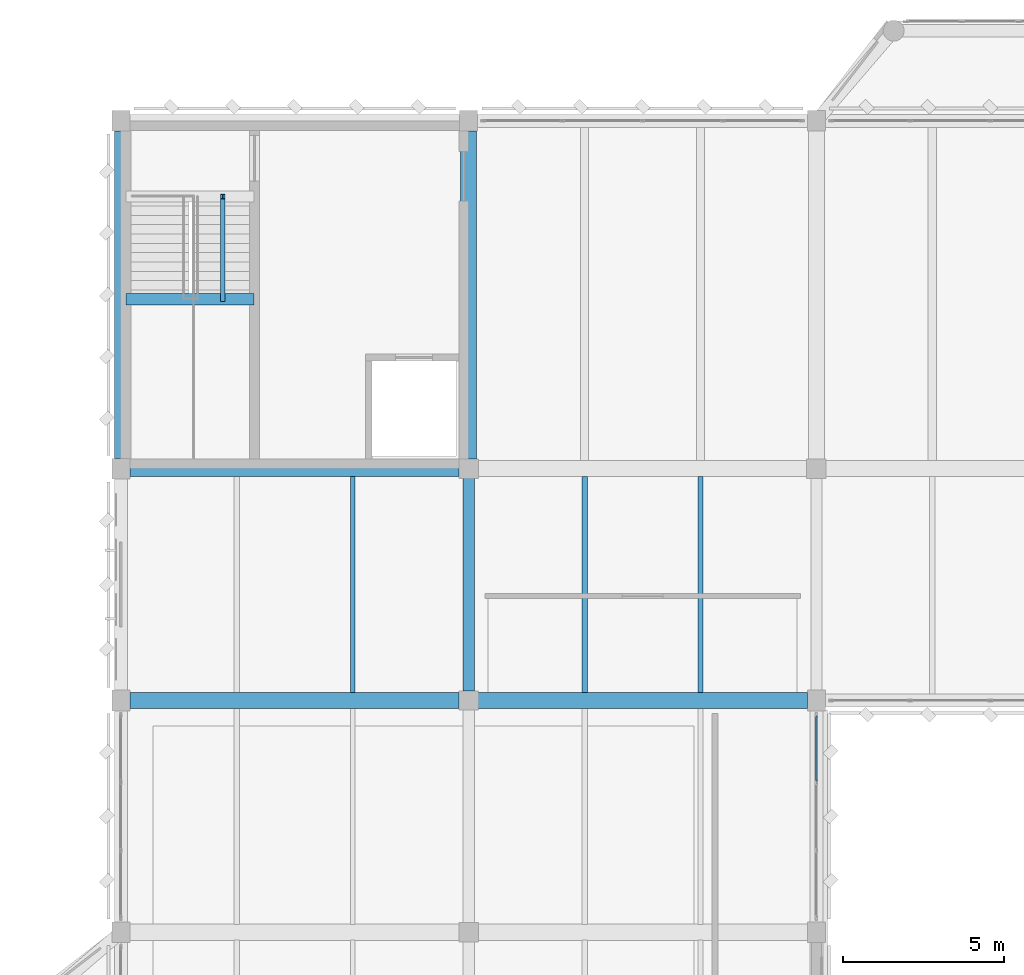
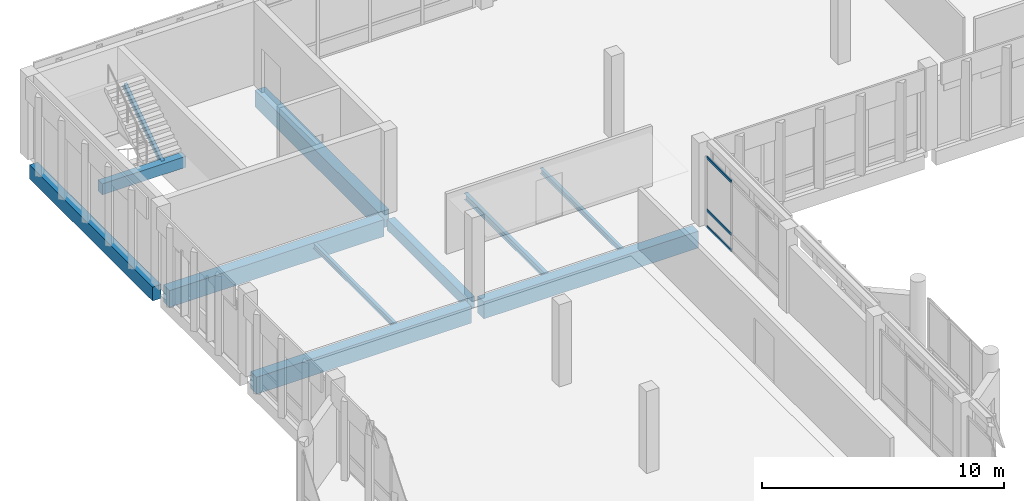
# One storey, part 40 of 158: 11 beams, 3 members, 1 element without a shape of its own.
"""IFC4 building model written with IfcOpenShell, lengths in metres."""

from ifc_helpers import new_model, si_unit, direction, frame, origin, origin_2d, place, context, subcontext, project, spatial, rectangle, hollow_rectangle, i_section, extrude, material, material_profile, profile_set, type_object, element, aggregate, save


model = new_model("IFC4")

# Units and contexts
model_context = context("Model", 3, precision=1e-05, world=origin(), true_north=direction((0.0, 1.0)))
body_context = subcontext(model_context, "Body", "Model", "MODEL_VIEW")
ifc_project = project(units=[si_unit("LENGTHUNIT", "METRE"), si_unit("AREAUNIT", "SQUARE_METRE"), si_unit("VOLUMEUNIT", "CUBIC_METRE"), si_unit("PLANEANGLEUNIT", "RADIAN"), si_unit("MASSUNIT", "GRAM", prefix="KILO")], contexts=[model_context])

# Site, building, storey
site_placement = place(None, origin())
site = spatial("IfcSite", under=ifc_project, at=site_placement, CompositionType="ELEMENT")
building_placement = place(site_placement, origin())
building = spatial("IfcBuilding", under=site, at=building_placement, Name="Lusvemor Sports Hall", CompositionType="ELEMENT")
storey_placement = place(building_placement, frame((0.0, 0.0, 10.800048828125)))
storey = spatial("IfcBuildingStorey", under=building, at=storey_placement, Name="L02", CompositionType="ELEMENT", Elevation=10.800048828125)

# Beams
ifc_material_1 = material(Name="Concrete C40/50", Category="concrete")
ifc_material_profile_1 = material_profile(ifc_material_1, rectangle(XDim=0.35009765625, YDim=0.550048828125, at=origin_2d()), Name="RC350x550")
ifc_profile_set_1 = profile_set([ifc_material_profile_1], Name="Concrete C40/50")
beam_type_1 = type_object("IfcBeamType", Name="BEAM_RC_550", PredefinedType="BEAM", material=ifc_profile_set_1)
beam_1_placement = place(storey_placement, frame((10.800048828125, 97.49609375, -0.53515625), z_axis=(0.0, 1.0, 0.0), x_axis=(-1.0, 0.0, 0.0)))
element("IfcBeam", 1, at=beam_1_placement, inside=storey, type_object=beam_type_1, Name="Beam L02 2:N-P", PredefinedType="BEAM", context=body_context, shape_type="SweptSolid", body=[
    extrude(rectangle(XDim=0.35009765625, YDim=0.550048828125, at=origin_2d()), origin(), (0.0, 0.0, 1.0), 6.60791015625),
])
beam_2_placement = place(storey_placement, frame((0.159912109375, 109.659912109375, 1.64501953125), z_axis=(1.0, 0.0, 0.0), x_axis=(0.0, 1.0, 0.0)))
element("IfcBeam", 2, at=beam_2_placement, inside=storey, type_object=beam_type_1, Name="Stair STR-C1-L02 Mid-Landing Beam", PredefinedType="BEAM", context=body_context, shape_type="SweptSolid", body=[
    extrude(rectangle(XDim=0.35009765625, YDim=0.550048828125, at=origin_2d()), origin(), (0.0, 0.0, 1.0), 3.97998046875),
])

# Curtain wall, members
ifc_material_2 = material(Name="Thermally broken bronze-anodized aluminium", Category="aluminium")
curtain_wall_type = type_object("IfcCurtainWallType", Name="CW_WING_B", PredefinedType="NOTDEFINED", material=ifc_material_2)
curtain_wall_placement = place(storey_placement, origin())
curtain_wall = element("IfcCurtainWall", 3, at=curtain_wall_placement, inside=storey, type_object=curtain_wall_type, Name="Curtain Wall CW-L02-E-5-6", PredefinedType="NOTDEFINED")
ifc_material_3 = material(Name="Thermally broken bronze-anodized aluminium", Category="aluminium")
ifc_material_profile_2 = material_profile(ifc_material_3, hollow_rectangle(XDim=0.06005859375, YDim=0.135009765625, WallThickness=0.00390625, InnerFilletRadius=0.00390625, OuterFilletRadius=0.008056640625, at=origin_2d()), Name="CWTRN135x60x4")
ifc_profile_set_2 = profile_set([ifc_material_profile_2], Name="Thermally broken bronze-anodized aluminium")
member_type = type_object("IfcMemberType", Name="CW_TRN_B", PredefinedType="USERDEFINED", material=ifc_profile_set_2)
member_1_placement = place(storey_placement, frame((21.60009765625, 96.715087890625, 0.030029296875), z_axis=(0.0, -1.0, 0.0), x_axis=(1.0, 0.0, 0.0)))
member_1 = element("IfcMember", 4, at=member_1_placement, type_object=member_type, Name="CW02 transom 1.1", ObjectType="TRANSOM", PredefinedType="USERDEFINED", context=body_context, shape_type="SweptSolid", body=[
    extrude(hollow_rectangle(XDim=0.06005859375, YDim=0.135009765625, WallThickness=0.00390625, InnerFilletRadius=0.00390625, OuterFilletRadius=0.008056640625, at=origin_2d()), origin(), (0.0, 0.0, 1.0), 2.022705078125),
])
member_2_placement = place(storey_placement, frame((21.60009765625, 96.715087890625, 0.849853515625), z_axis=(0.0, -1.0, 0.0), x_axis=(1.0, 0.0, 0.0)))
member_2 = element("IfcMember", 5, at=member_2_placement, type_object=member_type, Name="CW02 transom 1.2", ObjectType="TRANSOM", PredefinedType="USERDEFINED", context=body_context, shape_type="SweptSolid", body=[
    extrude(hollow_rectangle(XDim=0.06005859375, YDim=0.135009765625, WallThickness=0.00390625, InnerFilletRadius=0.00390625, OuterFilletRadius=0.008056640625, at=origin_2d()), origin(), (0.0, 0.0, 1.0), 2.022705078125),
])
member_3_placement = place(storey_placement, frame((21.60009765625, 96.715087890625, 3.489990234375), z_axis=(0.0, -1.0, 0.0), x_axis=(1.0, 0.0, 0.0)))
member_3 = element("IfcMember", 6, at=member_3_placement, type_object=member_type, Name="CW02 transom 1.3", ObjectType="TRANSOM", PredefinedType="USERDEFINED", context=body_context, shape_type="SweptSolid", body=[
    extrude(hollow_rectangle(XDim=0.06005859375, YDim=0.135009765625, WallThickness=0.00390625, InnerFilletRadius=0.00390625, OuterFilletRadius=0.008056640625, at=origin_2d()), origin(), (0.0, 0.0, 1.0), 2.022705078125),
])
aggregate(curtain_wall, [member_1, member_2, member_3])

# Beams
ifc_material_4 = material(Name="Concrete C40/50", Category="concrete")
ifc_material_profile_3 = material_profile(ifc_material_4, rectangle(XDim=0.5, YDim=0.85009765625, at=origin_2d()), Name="RC500x850")
ifc_profile_set_3 = profile_set([ifc_material_profile_3], Name="Concrete C40/50")
beam_type_2 = type_object("IfcBeamType", Name="GIRD_RC_850", PredefinedType="T_BEAM", material=ifc_profile_set_3)
for number, where, z_axis, x_axis, name in (
    (7, (0.27587890625, 97.199951171875, -0.68505859375), (1.0, 0.0, 0.0), (0.0, 1.0, 0.0), "Beam L02 N:1-2"),
    (8, (11.095947265625, 97.199951171875, -0.68505859375), (1.0, 0.0, 0.0), (0.0, 1.0, 0.0), "Beam L02 N:2-3"),
    (9, (0.27587890625, 104.39990234375, -0.68505859375), (1.0, 0.0, 0.0), (0.0, 1.0, 0.0), "Beam L02 P:1-2"),
):
    element("IfcBeam", number, at=place(storey_placement, frame(where, z_axis=z_axis, x_axis=x_axis)), inside=storey, type_object=beam_type_2, Name=name, PredefinedType="T_BEAM", context=body_context, shape_type="SweptSolid", body=[
        extrude(rectangle(XDim=0.5, YDim=0.85009765625, at=origin_2d()), origin(), (0.0, 0.0, 1.0), 10.22802734375),
    ])
beam_3_placement = place(storey_placement, frame((10.800048828125, 104.696044921875, -0.68505859375), z_axis=(0.0, 1.0, 0.0), x_axis=(-1.0, 0.0, 0.0)))
element("IfcBeam", 10, at=beam_3_placement, inside=storey, type_object=beam_type_2, Name="Beam L02 2:P-Q", PredefinedType="T_BEAM", context=body_context, shape_type="SweptSolid", body=[
    extrude(rectangle(XDim=0.5, YDim=0.85009765625, at=origin_2d()), origin(), (0.0, 0.0, 1.0), 10.18798828125),
])
ifc_material_5 = material(Name="Steel S355", Category="steel")
ifc_material_profile_4 = material_profile(ifc_material_5, i_section(OverallWidth=0.14794921875, OverallDepth=0.26611328125, WebThickness=0.007568359375, FlangeThickness=0.012939453125, FilletRadius=0.012939453125, at=origin_2d()), Name="W250x44.8")
ifc_profile_set_4 = profile_set([ifc_material_profile_4], Name="Steel S355")
beam_type_3 = type_object("IfcBeamType", Name="JOIST_ST_250M", PredefinedType="JOIST", material=ifc_profile_set_4)
for number, where, z_axis, x_axis, name in (
    (11, (7.199951171875, 97.446044921875, -0.39697265625), (0.0, 1.0, 0.0), (-1.0, 0.0, 0.0), "Secondary Joist L02 1-2/N-P #2"),
    (12, (18.0, 97.446044921875, -0.39697265625), (0.0, 1.0, 0.0), (-1.0, 0.0, 0.0), "Secondary Joist L02 2-3/N-P #2"),
):
    element("IfcBeam", number, at=place(storey_placement, frame(where, z_axis=z_axis, x_axis=x_axis)), inside=storey, type_object=beam_type_3, Name=name, PredefinedType="JOIST", context=body_context, shape_type="SweptSolid", body=[
        extrude(i_section(OverallWidth=0.14794921875, OverallDepth=0.26611328125, WebThickness=0.007568359375, FlangeThickness=0.012939453125, FilletRadius=0.012939453125, at=origin_2d()), origin(), (0.0, 0.0, 1.0), 6.7080078125),
    ])
beam_4_placement = place(storey_placement, frame((3.159912109375, 109.659912109375, 1.7548828125), z_axis=(0.0, 0.835261802243, 0.549852454495), x_axis=(-1.0, 0.0, 0.0)))
element("IfcBeam", 13, at=beam_4_placement, inside=storey, type_object=beam_type_3, Name="Stair STR-C1-L02 Flight 2 Stringer Beam", PredefinedType="JOIST", context=body_context, shape_type="SweptSolid", body=[
    extrude(i_section(OverallWidth=0.14794921875, OverallDepth=0.26611328125, WebThickness=0.007568359375, FlangeThickness=0.012939453125, FilletRadius=0.012939453125, at=origin_2d()), origin(), (0.0, 0.0, 1.0), 3.8193359375),
])
ifc_material_6 = material(Name="Steel S355", Category="steel")
ifc_material_profile_5 = material_profile(ifc_material_6, i_section(OverallWidth=0.1669921875, OverallDepth=0.31689453125, WebThickness=0.007568359375, FlangeThickness=0.01318359375, FilletRadius=0.014892578125, at=origin_2d()), Name="W310x52.0")
ifc_profile_set_5 = profile_set([ifc_material_profile_5], Name="Steel S355")
beam_type_4 = type_object("IfcBeamType", Name="JOIST_ST_310M", PredefinedType="JOIST", material=ifc_profile_set_5)
beam_5_placement = place(storey_placement, frame((14.39990234375, 97.446044921875, -0.422607421875), z_axis=(0.0, 1.0, 0.0), x_axis=(-1.0, 0.0, 0.0)))
element("IfcBeam", 14, at=beam_5_placement, inside=storey, type_object=beam_type_4, Name="Secondary Joist L02 2-3/N-P #1", PredefinedType="JOIST", context=body_context, shape_type="SweptSolid", body=[
    extrude(i_section(OverallWidth=0.1669921875, OverallDepth=0.31689453125, WebThickness=0.007568359375, FlangeThickness=0.01318359375, FilletRadius=0.014892578125, at=origin_2d()), origin(), (0.0, 0.0, 1.0), 6.7080078125),
])
ifc_material_7 = material(Name="Concrete C40/50", Category="concrete")
ifc_material_profile_6 = material_profile(ifc_material_7, rectangle(XDim=0.39990234375, YDim=0.699951171875, at=origin_2d()), Name="RC400x700")
ifc_profile_set_6 = profile_set([ifc_material_profile_6], Name="Concrete C40/50")
beam_type_5 = type_object("IfcBeamType", Name="SPAND_EXT_700", PredefinedType="SPANDREL", material=ifc_profile_set_6)
beam_6_placement = place(storey_placement, frame((0.0, 104.716064453125, -0.610107421875), z_axis=(0.0, 1.0, 0.0), x_axis=(-1.0, 0.0, 0.0)))
element("IfcBeam", 15, at=beam_6_placement, inside=storey, type_object=beam_type_5, Name="Beam L02 1:P-Q", PredefinedType="SPANDREL", context=body_context, shape_type="SweptSolid", body=[
    extrude(rectangle(XDim=0.39990234375, YDim=0.699951171875, at=origin_2d()), origin(), (0.0, 0.0, 1.0), 10.16796875),
])

save(model, "model.ifc")
